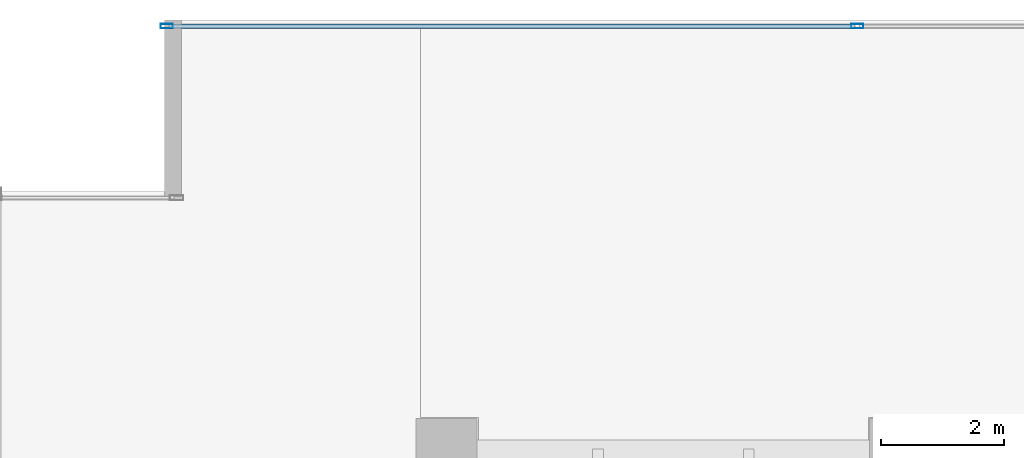
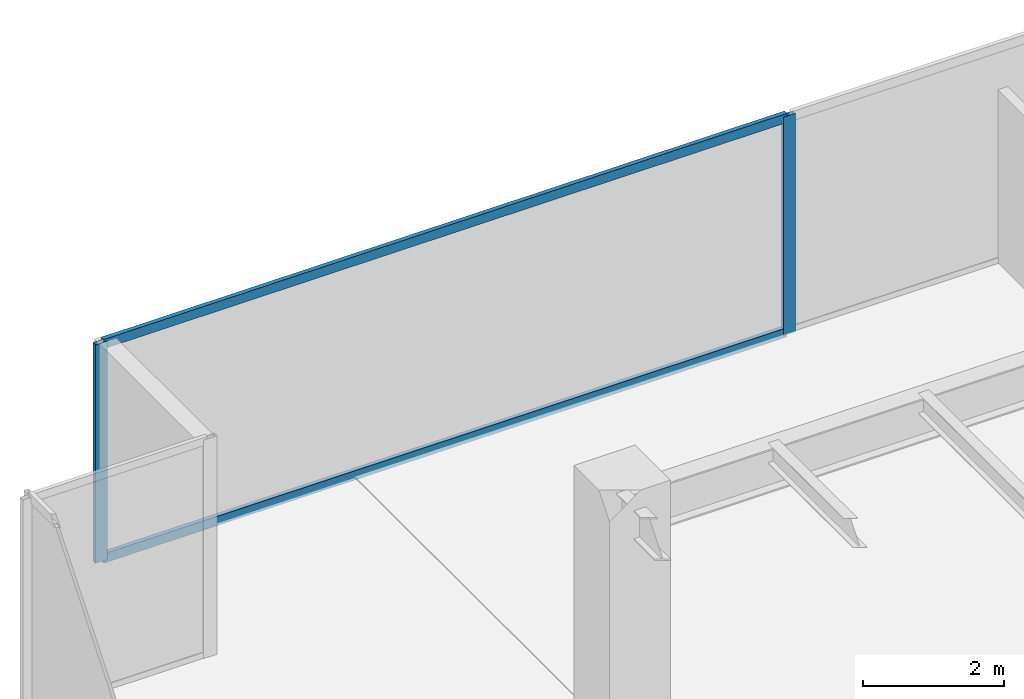
# One storey, part 15 of 37: 4 members, 1 element without a shape of its own.
"""IFC4 building model written with IfcOpenShell, lengths in metres."""

from ifc_helpers import new_model, si_unit, direction, frame, origin, origin_2d, place, context, subcontext, project, spatial, hollow_rectangle, extrude, source, transform, mapped, material, layer, layer_set, material_profile, profile_set, type_object, type_shapes, element, aggregate, save


model = new_model("IFC4")

# Units and contexts
model_context = context("Model", 3, precision=1e-05, world=origin(), true_north=direction((0.0, 1.0)))
body_context = subcontext(model_context, "Body", "Model", "MODEL_VIEW")
ifc_project = project(units=[si_unit("LENGTHUNIT", "METRE"), si_unit("AREAUNIT", "SQUARE_METRE"), si_unit("VOLUMEUNIT", "CUBIC_METRE"), si_unit("PLANEANGLEUNIT", "RADIAN"), si_unit("MASSUNIT", "GRAM", prefix="KILO")], contexts=[model_context])

# Site, building, storey
site_placement = place(None, origin())
site = spatial("IfcSite", under=ifc_project, at=site_placement, CompositionType="ELEMENT")
building_placement = place(site_placement, origin())
building = spatial("IfcBuilding", under=site, at=building_placement, Name="Haelvirn Gate Laboratories", CompositionType="ELEMENT")
storey_placement = place(building_placement, frame((0.0, 0.0, 78.5)))
storey = spatial("IfcBuildingStorey", under=building, at=storey_placement, Name="L19", CompositionType="ELEMENT", Elevation=78.5)

# Curtain wall, members
ifc_material_1 = material(Name="Anodised bronze unitised aluminium & triple low-E glass", Category="aluminium")
ifc_layer = layer(ifc_material_1, 0.18408203125, Name="CW-SYS-2")
ifc_layer_set = layer_set([ifc_layer], Name="Anodised bronze unitised aluminium & triple low-E glass")
curtain_wall_type = type_object("IfcCurtainWallType", Name="CW-SYS-2", PredefinedType="NOTDEFINED", material=ifc_layer_set)
curtain_wall_placement = place(storey_placement, origin())
curtain_wall = element("IfcCurtainWall", 1, at=curtain_wall_placement, inside=storey, type_object=curtain_wall_type, Name="L19 Unitised Curtain Wall CW-L19-P0-E14-1", PredefinedType="NOTDEFINED")
ifc_material_2 = material(Name="Extruded aluminium 6063-T6 (anodised bronze)", Category="aluminium")
ifc_material_profile_1 = material_profile(ifc_material_2, hollow_rectangle(XDim=0.074951171875, YDim=0.199951171875, WallThickness=0.0048828125, at=origin_2d()), Name="CWM-200x75x5")
ifc_profile_set_1 = profile_set([ifc_material_profile_1], Name="Extruded aluminium 6063-T6 (anodised bronze)")
member_type_1 = type_object("IfcMemberType", Name="CWM-T200", PredefinedType="MULLION", material=ifc_profile_set_1)
shared_shape_1 = source(origin(), body_context, "Body", "SweptSolid", [
    extrude(hollow_rectangle(XDim=0.074951171875, YDim=0.199951171875, WallThickness=0.0048828125, at=origin_2d()), origin(), (0.0, 0.0, 1.0), 3.780029296875),
])
type_shapes(member_type_1, [shared_shape_1])
member_1_placement = place(storey_placement, frame((2.83740234375, 48.5, 0.0), z_axis=(0.0, 0.0, 1.0), x_axis=(0.0, 1.0, 0.0)))
member_1 = element("IfcMember", 2, at=member_1_placement, type_object=member_type_1, Name="CW2 mullion 1", PredefinedType="MULLION", context=body_context, shape_type="MappedRepresentation", body=[
    mapped(shared_shape_1, transform((0.0, 0.0, 0.0), scale=1.0)),
])
member_2_placement = place(storey_placement, frame((14.10009765625, 48.5, 0.0), z_axis=(0.0, 0.0, 1.0), x_axis=(0.0, 1.0, 0.0)))
member_2 = element("IfcMember", 3, at=member_2_placement, type_object=member_type_1, Name="CW2 mullion 2", PredefinedType="MULLION", context=body_context, shape_type="MappedRepresentation", body=[
    mapped(shared_shape_1, transform((0.0, 0.0, 0.0), scale=1.0)),
])
ifc_material_profile_2 = material_profile(ifc_material_2, hollow_rectangle(XDim=0.070068359375, YDim=0.159912109375, WallThickness=0.0048828125, at=origin_2d()), Name="CWT-160x70x5")
ifc_profile_set_2 = profile_set([ifc_material_profile_2], Name="Extruded aluminium 6063-T6 (anodised bronze)")
member_type_2 = type_object("IfcMemberType", Name="CWT-T160", PredefinedType="USERDEFINED", material=ifc_profile_set_2)
shared_shape_2 = source(origin(), body_context, "Body", "SweptSolid", [
    extrude(hollow_rectangle(XDim=0.070068359375, YDim=0.159912109375, WallThickness=0.0048828125, at=origin_2d()), origin(), (0.0, 0.0, 1.0), 11.1875),
])
type_shapes(member_type_2, [shared_shape_2])
member_3_placement = place(storey_placement, frame((2.875, 48.5, 0.034912109375), z_axis=(1.0, 0.0, 0.0), x_axis=(0.0, 1.0, 0.0)))
member_3 = element("IfcMember", 4, at=member_3_placement, type_object=member_type_2, Name="CW2 transom 1.1", ObjectType="TRANSOM", PredefinedType="USERDEFINED", context=body_context, shape_type="MappedRepresentation", body=[
    mapped(shared_shape_2, transform((0.0, 0.0, 0.0), scale=1.0)),
])
member_4_placement = place(storey_placement, frame((2.875, 48.5, 3.7451171875), z_axis=(1.0, 0.0, 0.0), x_axis=(0.0, 1.0, 0.0)))
member_4 = element("IfcMember", 5, at=member_4_placement, type_object=member_type_2, Name="CW2 transom 1.2", ObjectType="TRANSOM", PredefinedType="USERDEFINED", context=body_context, shape_type="MappedRepresentation", body=[
    mapped(shared_shape_2, transform((0.0, 0.0, 0.0), scale=1.0)),
])
aggregate(curtain_wall, [member_1, member_2, member_3, member_4])

save(model, "model.ifc")
